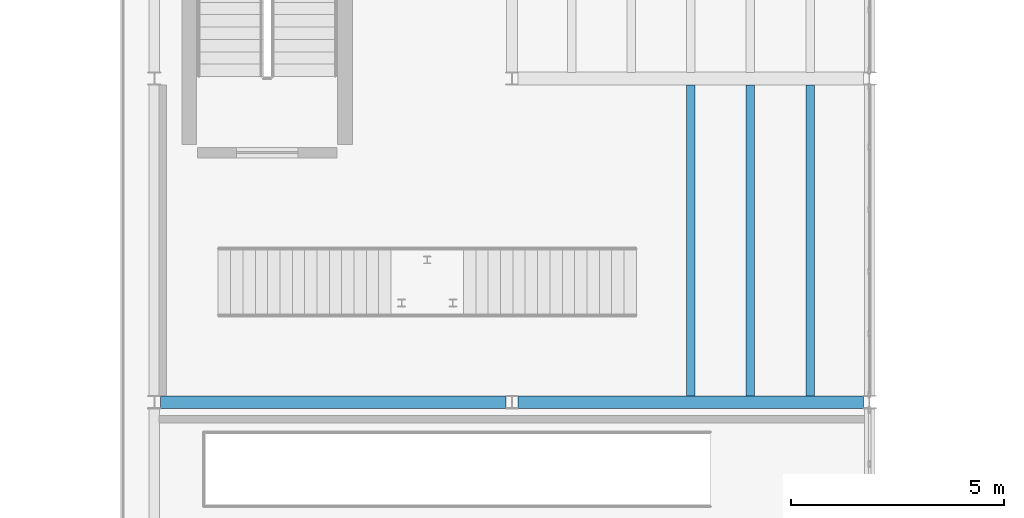
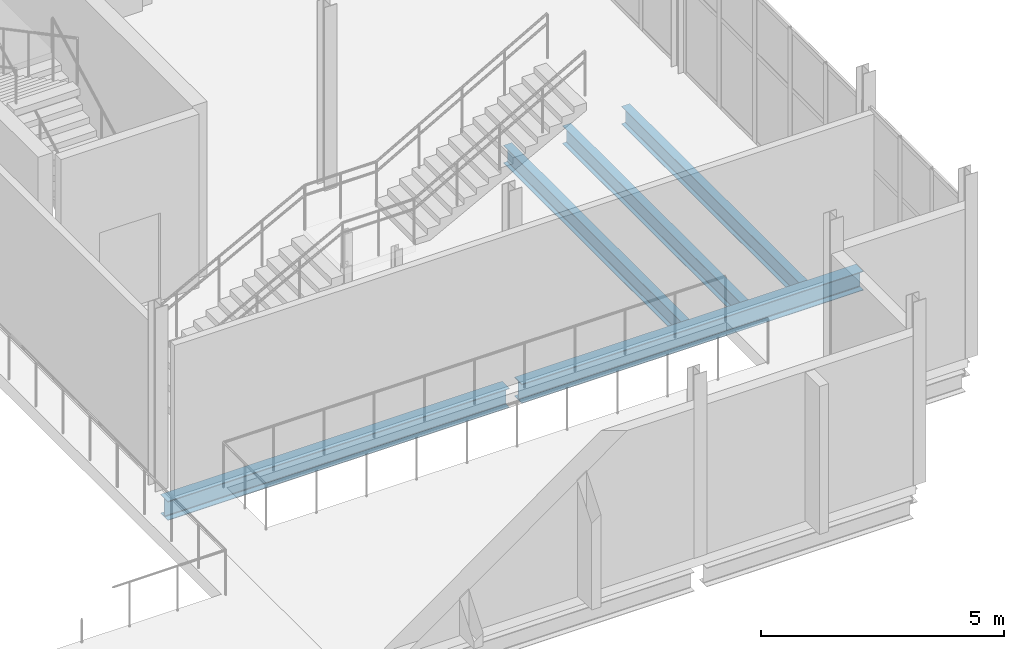
# One storey, part 26 of 172: 5 beams.
"""IFC4 building model written with IfcOpenShell, lengths in metres."""

from ifc_helpers import new_model, si_unit, direction, frame, origin, origin_2d, place, context, subcontext, project, spatial, i_section, extrude, material, material_profile, profile_set, type_object, element, save


model = new_model("IFC4")

# Units and contexts
model_context = context("Model", 3, precision=1e-05, world=origin(), true_north=direction((0.0, 1.0)))
body_context = subcontext(model_context, "Body", "Model", "MODEL_VIEW")
ifc_project = project(units=[si_unit("LENGTHUNIT", "METRE"), si_unit("AREAUNIT", "SQUARE_METRE"), si_unit("VOLUMEUNIT", "CUBIC_METRE"), si_unit("PLANEANGLEUNIT", "RADIAN"), si_unit("MASSUNIT", "GRAM", prefix="KILO")], contexts=[model_context])

# Site, building, storey
site_placement = place(None, origin())
site = spatial("IfcSite", under=ifc_project, at=site_placement, CompositionType="ELEMENT")
building_placement = place(site_placement, origin())
building = spatial("IfcBuilding", under=site, at=building_placement, Name="Shengluoqiao Park Theatre", CompositionType="ELEMENT")
storey_placement = place(building_placement, frame((0.0, 0.0, 5.39990234375)))
storey = spatial("IfcBuildingStorey", under=building, at=storey_placement, Name="L01", CompositionType="ELEMENT", Elevation=5.39990234375)

# Beams
ifc_material = material(Name="Steel Q355", Category="steel")
ifc_material_profile_1 = material_profile(ifc_material, i_section(OverallWidth=0.300048828125, OverallDepth=0.48193359375, WebThickness=0.010986328125, FlangeThickness=0.014892578125, FilletRadius=0.02197265625, at=origin_2d()), Name="HM 482x300x11x15")
ifc_profile_set_1 = profile_set([ifc_material_profile_1], Name="Steel Q355")
beam_type_1 = type_object("IfcBeamType", Name="STR-BM-G-HM482", PredefinedType="BEAM", material=ifc_profile_set_1)
for number, where, z_axis, x_axis, name in (
    (1, (27.74658203125, 7.60009765625, -0.580810546875), (1.0, 0.0, 0.0), (0.0, 1.0, 0.0), "L01 Primary Girder 00427"),
    (2, (36.146484375, 7.60009765625, -0.580810546875), (1.0, 0.0, 0.0), (0.0, 1.0, 0.0), "L01 Primary Girder 00428"),
):
    element("IfcBeam", number, at=place(storey_placement, frame(where, z_axis=z_axis, x_axis=x_axis)), inside=storey, type_object=beam_type_1, Name=name, PredefinedType="BEAM", context=body_context, shape_type="SweptSolid", body=[
        extrude(i_section(OverallWidth=0.300048828125, OverallDepth=0.48193359375, WebThickness=0.010986328125, FlangeThickness=0.014892578125, FilletRadius=0.02197265625, at=origin_2d()), origin(), (0.0, 0.0, 1.0), 8.10693359375),
    ])
ifc_material_profile_2 = material_profile(ifc_material, i_section(OverallWidth=0.199951171875, OverallDepth=0.449951171875, WebThickness=0.009033203125, FlangeThickness=0.013916015625, FilletRadius=0.01611328125, at=origin_2d()), Name="HN 450x200x9x14")
ifc_profile_set_2 = profile_set([ifc_material_profile_2], Name="Steel Q355")
beam_type_2 = type_object("IfcBeamType", Name="STR-BM-J-HN450", PredefinedType="JOIST", material=ifc_profile_set_2)
for number, where, z_axis, x_axis, name in (
    (3, (40.199951171875, 7.7451171875, -0.56494140625), (0.0, 1.0, 0.0), (-1.0, 0.0, 0.0), "L01 Composite Joist 00436"),
    (4, (41.60009765625, 7.7451171875, -0.56494140625), (0.0, 1.0, 0.0), (-1.0, 0.0, 0.0), "L01 Composite Joist 00437"),
    (5, (43.0, 7.7451171875, -0.56494140625), (0.0, 1.0, 0.0), (-1.0, 0.0, 0.0), "L01 Composite Joist 00438"),
):
    element("IfcBeam", number, at=place(storey_placement, frame(where, z_axis=z_axis, x_axis=x_axis)), inside=storey, type_object=beam_type_2, Name=name, PredefinedType="JOIST", context=body_context, shape_type="SweptSolid", body=[
        extrude(i_section(OverallWidth=0.199951171875, OverallDepth=0.449951171875, WebThickness=0.009033203125, FlangeThickness=0.013916015625, FilletRadius=0.01611328125, at=origin_2d()), origin(), (0.0, 0.0, 1.0), 7.309814453125),
    ])

save(model, "model.ifc")
